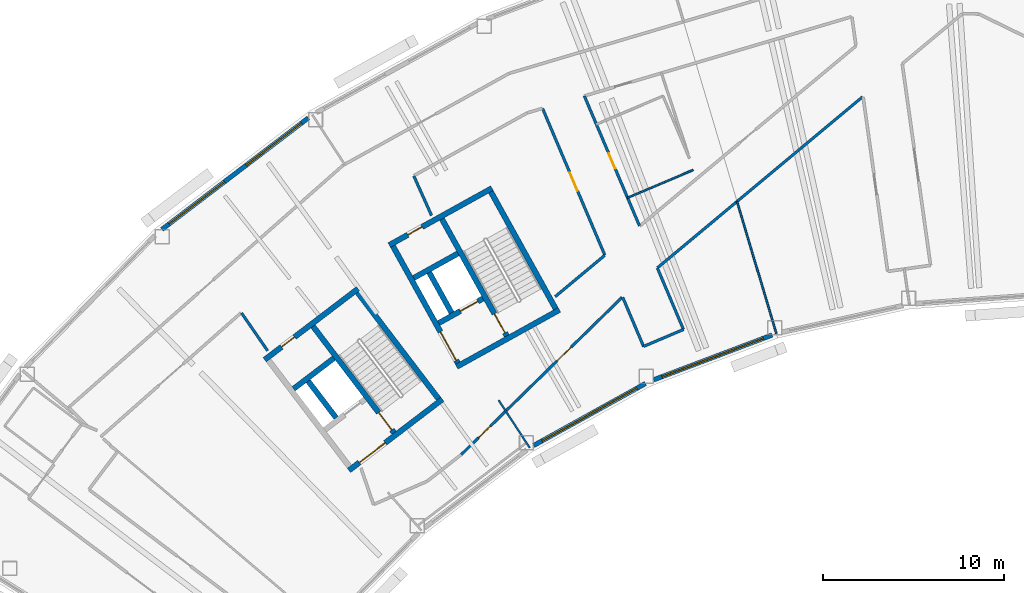
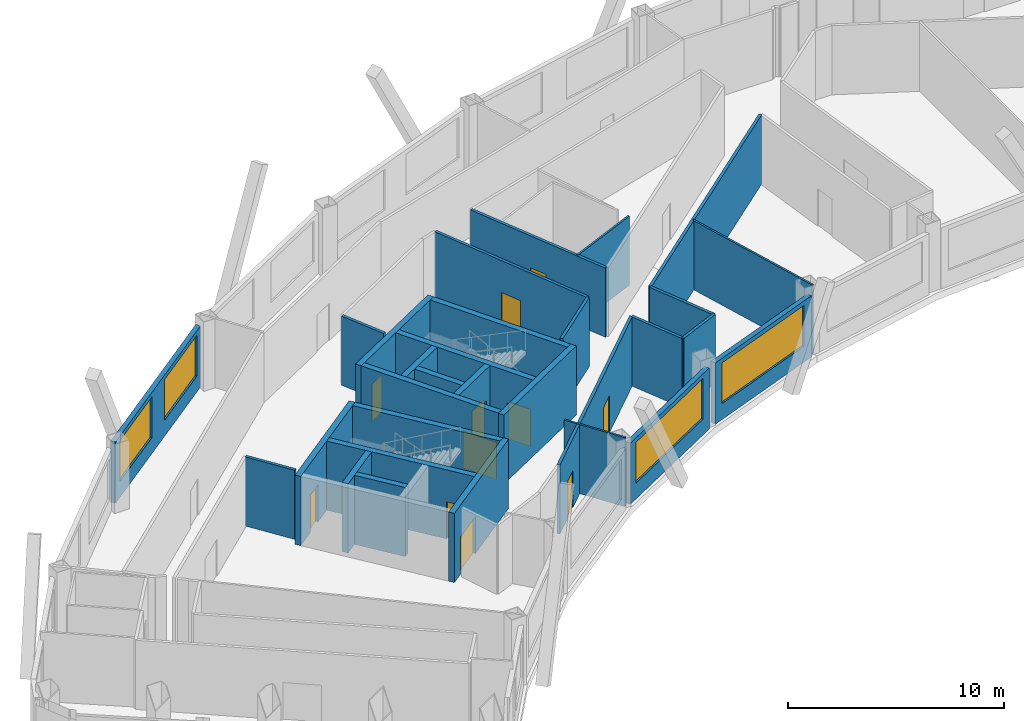
# One storey, part 6 of 13: 30 walls, 11 doors, 4 windows, 15 openings.
"""IFC4 building model written with IfcOpenShell, lengths in metres."""

from ifc_helpers import new_model, si_unit, direction, frame, frame_2d, origin, place, context, subcontext, project, spatial, rectangle, extrude, material, layer, layer_set, type_object, element, fill, save


model = new_model("IFC4")

# Units and contexts
model_context = context("Model", 3, precision=1e-05, world=origin(), true_north=direction((0.0, 1.0)))
body_context = subcontext(model_context, "Body", "Model", "MODEL_VIEW")
ifc_project = project(units=[si_unit("LENGTHUNIT", "METRE"), si_unit("AREAUNIT", "SQUARE_METRE"), si_unit("VOLUMEUNIT", "CUBIC_METRE"), si_unit("PLANEANGLEUNIT", "RADIAN"), si_unit("MASSUNIT", "GRAM", prefix="KILO")], contexts=[model_context])

# Site, building, storey
site_placement = place(None, origin())
site = spatial("IfcSite", under=ifc_project, at=site_placement, CompositionType="ELEMENT")
building_placement = place(site_placement, origin())
building = spatial("IfcBuilding", under=site, at=building_placement, Name="Tuul Gate Civic Tower", CompositionType="ELEMENT")
storey_placement = place(building_placement, frame((0.0, 0.0, 319.699951171875)))
storey = spatial("IfcBuildingStorey", under=building, at=storey_placement, Name="Level 72", CompositionType="ELEMENT", Elevation=319.699951171875)

# Wall, opening, door
ifc_material_1 = material(Name="Concrete C50/60", Category="concrete")
ifc_layer_1 = layer(ifc_material_1, 0.300048828125)
ifc_layer_set_1 = layer_set([ifc_layer_1], Name="Concrete C50/60")
wall_type_1 = type_object("IfcWallType", Name="Core wall C50/60", PredefinedType="SHEAR", material=ifc_layer_set_1)
wall_1_placement = place(storey_placement, frame((-31.19091796875, -13.669677734375, 0.0), z_axis=(0.0, 0.0, 1.0), x_axis=(-0.795606717756, -0.605813461934, 0.0)))
wall_1 = element("IfcWall", 1, at=wall_1_placement, inside=storey, type_object=wall_type_1, Name="Core wall", PredefinedType="SHEAR", context=body_context, shape_type="SweptSolid", body=[
    extrude(rectangle(XDim=6.5, YDim=0.300048828125, at=frame_2d((3.25, 0.0))), origin(), (0.0, 0.0, 1.0), 3.900146484375),
])
opening_1_placement = place(wall_1_placement, frame((3.97509765625, 0.0, 0.0)))
opening_1 = element("IfcOpeningElement", 2, at=opening_1_placement, cuts=wall_1, Name="Opening LB-W1-LOBBY-1", PredefinedType="OPENING", context=body_context, shape_type="SweptSolid", body=[
    extrude(rectangle(XDim=1.800048828125, YDim=2.10009765625, at=frame_2d((0.89990234375, 1.050048828125))), frame((0.0, 0.16015625, 0.0), z_axis=(0.0, -1.0, 0.0), x_axis=(1.0, 0.0, 0.0)), (0.0, 0.0, 1.0), 0.320068359375),
])
ifc_material_2 = material(Name="Steel", Category="steel")
door_type_1 = type_object("IfcDoorType", Name="Lobby door", OperationType="DOUBLE_DOOR_SINGLE_SWING", PredefinedType="DOOR", material=ifc_material_2)
door_1_placement = place(opening_1_placement, origin())
door_1 = element("IfcDoor", 3, at=door_1_placement, inside=storey, type_object=door_type_1, Name="Lobby door W1-LOBBY", OperationType="DOUBLE_DOOR_SINGLE_SWING", OverallHeight=2.10009765625, OverallWidth=1.800048828125, PredefinedType="DOOR", context=body_context, shape_type="SweptSolid", body=[
    extrude(rectangle(XDim=1.800048828125, YDim=2.10009765625, at=frame_2d((0.89990234375, 1.050048828125))), frame((0.0, 0.02490234375, 0.0), z_axis=(0.0, -1.0, 0.0), x_axis=(1.0, 0.0, 0.0)), (0.0, 0.0, 1.0), 0.050048828125),
])
fill(opening_1, door_1)

# Wall
wall_2_placement = place(storey_placement, frame((-37.197509765625, -11.39306640625, 0.0), z_axis=(0.0, 0.0, 1.0), x_axis=(-0.795583820278, -0.605843531707, 0.0)))
element("IfcWall", 4, at=wall_2_placement, inside=storey, type_object=wall_type_1, Name="Core wall", PredefinedType="SHEAR", context=body_context, shape_type="SweptSolid", body=[
    extrude(rectangle(XDim=2.7998046875, YDim=0.300048828125, at=frame_2d((1.39990234375, 0.0))), origin(), (0.0, 0.0, 1.0), 3.900146484375),
])

# Wall, opening, door
wall_3_placement = place(storey_placement, frame((-35.855224609375, -7.543212890625, 0.0), z_axis=(0.0, 0.0, 1.0), x_axis=(-0.79563860527, -0.605771582202, 0.0)))
wall_3 = element("IfcWall", 5, at=wall_3_placement, inside=storey, type_object=wall_type_1, Name="Core wall", PredefinedType="SHEAR", context=body_context, shape_type="SweptSolid", body=[
    extrude(rectangle(XDim=6.5, YDim=0.300048828125, at=frame_2d((3.25, 0.0))), origin(), (0.0, 0.0, 1.0), 3.900146484375),
])
opening_2_placement = place(wall_3_placement, frame((4.425048828125, 0.0, 0.0)))
opening_2 = element("IfcOpeningElement", 6, at=opening_2_placement, cuts=wall_3, Name="Opening AA-D28", PredefinedType="OPENING", context=body_context, shape_type="SweptSolid", body=[
    extrude(rectangle(XDim=0.89990234375, YDim=2.10009765625, at=frame_2d((0.449951171875, 1.050048828125))), frame((0.0, 0.16015625, 0.0), z_axis=(0.0, -1.0, 0.0), x_axis=(1.0, 0.0, 0.0)), (0.0, 0.0, 1.0), 0.320068359375),
])
ifc_material_3 = material(Name="Timber door leaf", Category="wood")
door_type_2 = type_object("IfcDoorType", Name="Door D09", OperationType="NOTDEFINED", PredefinedType="DOOR", material=ifc_material_3)
door_2_placement = place(opening_2_placement, origin())
door_2 = element("IfcDoor", 7, at=door_2_placement, inside=storey, type_object=door_type_2, Name="Door AA-D28", OperationType="SINGLE_SWING_LEFT", OverallHeight=2.10009765625, OverallWidth=0.89990234375, PredefinedType="DOOR", context=body_context, shape_type="SweptSolid", body=[
    extrude(rectangle(XDim=0.89990234375, YDim=2.10009765625, at=frame_2d((0.449951171875, 1.050048828125))), frame((0.0, 0.02490234375, 0.0), z_axis=(0.0, -1.0, 0.0), x_axis=(1.0, 0.0, 0.0)), (0.0, 0.0, 1.0), 0.050048828125),
])
fill(opening_2, door_2)

# Wall
wall_4_placement = place(storey_placement, frame((-31.401123046875, -13.64111328125, 0.0), z_axis=(0.0, 0.0, 1.0), x_axis=(-0.605769822278, 0.795639945213, 0.0)))
element("IfcWall", 8, at=wall_4_placement, inside=storey, type_object=wall_type_1, Name="Core wall", PredefinedType="SHEAR", context=body_context, shape_type="SweptSolid", body=[
    extrude(rectangle(XDim=7.39990234375, YDim=0.300048828125, at=frame_2d((3.699951171875, 0.0))), origin(), (0.0, 0.0, 1.0), 3.900146484375),
])

# Wall, opening, door
wall_5_placement = place(storey_placement, frame((-33.867431640625, -15.51904296875, 0.0), z_axis=(0.0, 0.0, 1.0), x_axis=(-0.605769822278, 0.795639945213, 0.0)))
wall_5 = element("IfcWall", 9, at=wall_5_placement, inside=storey, type_object=wall_type_1, Name="Core wall", PredefinedType="SHEAR", context=body_context, shape_type="SweptSolid", body=[
    extrude(rectangle(XDim=7.39990234375, YDim=0.300048828125, at=frame_2d((3.699951171875, 0.0))), origin(), (0.0, 0.0, 1.0), 3.900146484375),
])
opening_3_placement = place(wall_5_placement, frame((0.199951171875, 0.0, 0.0)))
opening_3 = element("IfcOpeningElement", 10, at=opening_3_placement, cuts=wall_5, Name="Opening SD-ST-1", PredefinedType="OPENING", context=body_context, shape_type="SweptSolid", body=[
    extrude(rectangle(XDim=1.199951171875, YDim=2.10009765625, at=frame_2d((0.60009765625, 1.050048828125))), frame((0.0, 0.16015625, 0.0), z_axis=(0.0, -1.0, 0.0), x_axis=(1.0, 0.0, 0.0)), (0.0, 0.0, 1.0), 0.320068359375),
])
ifc_material_4 = material(Name="Steel", Category="steel")
door_type_3 = type_object("IfcDoorType", Name="Stair door", OperationType="NOTDEFINED", PredefinedType="DOOR", material=ifc_material_4)
door_3_placement = place(opening_3_placement, origin())
door_3 = element("IfcDoor", 11, at=door_3_placement, inside=storey, type_object=door_type_3, Name="Stair door ST-1", OperationType="SINGLE_SWING_LEFT", OverallHeight=2.10009765625, OverallWidth=1.199951171875, PredefinedType="DOOR", context=body_context, shape_type="SweptSolid", body=[
    extrude(rectangle(XDim=1.199951171875, YDim=2.10009765625, at=frame_2d((0.60009765625, 1.050048828125))), frame((0.0, 0.02490234375, 0.0), z_axis=(0.0, -1.0, 0.0), x_axis=(1.0, 0.0, 0.0)), (0.0, 0.0, 1.0), 0.050048828125),
])
fill(opening_3, door_3)

# Walls
wall_6_placement = place(storey_placement, frame((-37.073486328125, -14.6923828125, 0.0), z_axis=(0.0, 0.0, 1.0), x_axis=(-0.605728760074, 0.79567120673, 0.0)))
element("IfcWall", 12, at=wall_6_placement, inside=storey, type_object=wall_type_1, Name="Core wall", PredefinedType="SHEAR", context=body_context, shape_type="SweptSolid", body=[
    extrude(rectangle(XDim=2.550048828125, YDim=0.300048828125, at=frame_2d((1.27490234375, 0.0))), origin(), (0.0, 0.0, 1.0), 3.900146484375),
])
wall_7_placement = place(storey_placement, frame((-24.711669921875, -8.7158203125, 0.0), z_axis=(0.0, 0.0, 1.0), x_axis=(-0.874629909008, -0.484791215132, 0.0)))
element("IfcWall", 13, at=wall_7_placement, inside=storey, type_object=wall_type_1, Name="Core wall", PredefinedType="SHEAR", context=body_context, shape_type="SweptSolid", body=[
    extrude(rectangle(XDim=6.5, YDim=0.300048828125, at=frame_2d((3.25, 0.0))), origin(), (0.0, 0.0, 1.0), 3.900146484375),
])

# Wall, opening, door
wall_8_placement = place(storey_placement, frame((-28.94580078125, -8.090087890625, 0.0), z_axis=(0.0, 0.0, 1.0), x_axis=(-0.874629840737, -0.484791338301, 0.0)))
wall_8 = element("IfcWall", 14, at=wall_8_placement, inside=storey, type_object=wall_type_1, Name="Core wall", PredefinedType="SHEAR", context=body_context, shape_type="SweptSolid", body=[
    extrude(rectangle(XDim=2.800048828125, YDim=0.300048828125, at=frame_2d((1.39990234375, 0.0))), origin(), (0.0, 0.0, 1.0), 3.900146484375),
])
opening_4_placement = place(wall_8_placement, frame((0.324951171875, 0.0, 0.0)))
opening_4 = element("IfcOpeningElement", 15, at=opening_4_placement, cuts=wall_8, Name="Opening LD-FF-1", PredefinedType="OPENING", context=body_context, shape_type="SweptSolid", body=[
    extrude(rectangle(XDim=1.10009765625, YDim=2.10009765625, at=frame_2d((0.550048828125, 1.050048828125))), frame((0.0, 0.16015625, 0.0), z_axis=(0.0, -1.0, 0.0), x_axis=(1.0, 0.0, 0.0)), (0.0, 0.0, 1.0), 0.320068359375),
])
ifc_material_5 = material(Name="Stainless steel", Category="steel")
door_type_4 = type_object("IfcDoorType", Name="Landing door", OperationType="DOUBLE_DOOR_SLIDING", PredefinedType="DOOR", material=ifc_material_5)
door_4_placement = place(opening_4_placement, origin())
door_4 = element("IfcDoor", 16, at=door_4_placement, inside=storey, type_object=door_type_4, Name="Fire-fighting lift FF-1 landing door", OperationType="DOUBLE_DOOR_SLIDING", OverallHeight=2.10009765625, OverallWidth=1.10009765625, PredefinedType="DOOR", context=body_context, shape_type="SweptSolid", body=[
    extrude(rectangle(XDim=1.10009765625, YDim=2.10009765625, at=frame_2d((0.550048828125, 1.050048828125))), frame((0.0, 0.02490234375, 0.0), z_axis=(0.0, -1.0, 0.0), x_axis=(1.0, 0.0, 0.0)), (0.0, 0.0, 1.0), 0.050048828125),
])
fill(opening_4, door_4)

# Wall
wall_9_placement = place(storey_placement, frame((-30.327392578125, -5.59716796875, 0.0), z_axis=(0.0, 0.0, 1.0), x_axis=(-0.874629840737, -0.484791338301, 0.0)))
element("IfcWall", 17, at=wall_9_placement, inside=storey, type_object=wall_type_1, Name="Core wall", PredefinedType="SHEAR", context=body_context, shape_type="SweptSolid", body=[
    extrude(rectangle(XDim=2.800048828125, YDim=0.300048828125, at=frame_2d((1.39990234375, 0.0))), origin(), (0.0, 0.0, 1.0), 3.900146484375),
])

# Wall, opening, door
wall_10_placement = place(storey_placement, frame((-28.4443359375, -1.98095703125, 0.0), z_axis=(0.0, 0.0, 1.0), x_axis=(-0.874629909008, -0.484791215132, 0.0)))
wall_10 = element("IfcWall", 18, at=wall_10_placement, inside=storey, type_object=wall_type_1, Name="Core wall", PredefinedType="SHEAR", context=body_context, shape_type="SweptSolid", body=[
    extrude(rectangle(XDim=6.5, YDim=0.300048828125, at=frame_2d((3.25, 0.0))), origin(), (0.0, 0.0, 1.0), 3.900146484375),
])
opening_5_placement = place(wall_10_placement, frame((4.425048828125, 0.0, 0.0)))
opening_5 = element("IfcOpeningElement", 19, at=opening_5_placement, cuts=wall_10, Name="Opening AA-D29", PredefinedType="OPENING", context=body_context, shape_type="SweptSolid", body=[
    extrude(rectangle(XDim=0.89990234375, YDim=2.10009765625, at=frame_2d((0.449951171875, 1.050048828125))), frame((0.0, 0.16015625, 0.0), z_axis=(0.0, -1.0, 0.0), x_axis=(1.0, 0.0, 0.0)), (0.0, 0.0, 1.0), 0.320068359375),
])
door_5_placement = place(opening_5_placement, origin())
door_5 = element("IfcDoor", 20, at=door_5_placement, inside=storey, type_object=door_type_2, Name="Door AA-D29", OperationType="SINGLE_SWING_LEFT", OverallHeight=2.10009765625, OverallWidth=0.89990234375, PredefinedType="DOOR", context=body_context, shape_type="SweptSolid", body=[
    extrude(rectangle(XDim=0.89990234375, YDim=2.10009765625, at=frame_2d((0.449951171875, 1.050048828125))), frame((0.0, 0.02490234375, 0.0), z_axis=(0.0, -1.0, 0.0), x_axis=(1.0, 0.0, 0.0)), (0.0, 0.0, 1.0), 0.050048828125),
])
fill(opening_5, door_5)

# Wall
wall_11_placement = place(storey_placement, frame((-24.91552734375, -8.6572265625, 0.0), z_axis=(0.0, 0.0, 1.0), x_axis=(-0.484777133038, 0.874637714304, 0.0)))
element("IfcWall", 21, at=wall_11_placement, inside=storey, type_object=wall_type_1, Name="Core wall", PredefinedType="SHEAR", context=body_context, shape_type="SweptSolid", body=[
    extrude(rectangle(XDim=7.400146484375, YDim=0.300048828125, at=frame_2d((3.7001953125, 0.0))), origin(), (0.0, 0.0, 1.0), 3.900146484375),
])

# Wall, opening, door
wall_12_placement = place(storey_placement, frame((-27.626953125, -10.16015625, 0.0), z_axis=(0.0, 0.0, 1.0), x_axis=(-0.484751894226, 0.874651702704, 0.0)))
wall_12 = element("IfcWall", 22, at=wall_12_placement, inside=storey, type_object=wall_type_1, Name="Core wall", PredefinedType="SHEAR", context=body_context, shape_type="SweptSolid", body=[
    extrude(rectangle(XDim=7.39990234375, YDim=0.300048828125, at=frame_2d((3.699951171875, 0.0))), origin(), (0.0, 0.0, 1.0), 3.900146484375),
])
opening_6_placement = place(wall_12_placement, frame((0.199951171875, 0.0, 0.0)))
opening_6 = element("IfcOpeningElement", 23, at=opening_6_placement, cuts=wall_12, Name="Opening SD-ST-2", PredefinedType="OPENING", context=body_context, shape_type="SweptSolid", body=[
    extrude(rectangle(XDim=1.199951171875, YDim=2.10009765625, at=frame_2d((0.60009765625, 1.050048828125))), frame((0.0, 0.16015625, 0.0), z_axis=(0.0, -1.0, 0.0), x_axis=(1.0, 0.0, 0.0)), (0.0, 0.0, 1.0), 0.320068359375),
])
door_6_placement = place(opening_6_placement, origin())
door_6 = element("IfcDoor", 24, at=door_6_placement, inside=storey, type_object=door_type_3, Name="Stair door ST-2", OperationType="SINGLE_SWING_LEFT", OverallHeight=2.10009765625, OverallWidth=1.199951171875, PredefinedType="DOOR", context=body_context, shape_type="SweptSolid", body=[
    extrude(rectangle(XDim=1.199951171875, YDim=2.10009765625, at=frame_2d((0.60009765625, 1.050048828125))), frame((0.0, 0.02490234375, 0.0), z_axis=(0.0, -1.0, 0.0), x_axis=(1.0, 0.0, 0.0)), (0.0, 0.0, 1.0), 0.050048828125),
])
fill(opening_6, door_6)

# Wall
wall_13_placement = place(storey_placement, frame((-30.680419921875, -8.8798828125, 0.0), z_axis=(0.0, 0.0, 1.0), x_axis=(-0.484724115216, 0.874667097888, 0.0)))
element("IfcWall", 25, at=wall_13_placement, inside=storey, type_object=wall_type_1, Name="Core wall", PredefinedType="SHEAR", context=body_context, shape_type="SweptSolid", body=[
    extrude(rectangle(XDim=2.550048828125, YDim=0.300048828125, at=frame_2d((1.27490234375, 0.0))), origin(), (0.0, 0.0, 1.0), 3.900146484375),
])

# Wall, opening, door
wall_14_placement = place(storey_placement, frame((-30.33837890625, -11.6630859375, 0.0), z_axis=(0.0, 0.0, 1.0), x_axis=(-0.484751894226, 0.874651702704, 0.0)))
wall_14 = element("IfcWall", 26, at=wall_14_placement, inside=storey, type_object=wall_type_1, Name="Core wall", PredefinedType="SHEAR", context=body_context, shape_type="SweptSolid", body=[
    extrude(rectangle(XDim=7.39990234375, YDim=0.300048828125, at=frame_2d((3.699951171875, 0.0))), origin(), (0.0, 0.0, 1.0), 3.900146484375),
])
opening_7_placement = place(wall_14_placement, frame((0.175048828125, 0.0, 0.0)))
opening_7 = element("IfcOpeningElement", 27, at=opening_7_placement, cuts=wall_14, Name="Opening LB-W2-FLOBBY-1", PredefinedType="OPENING", context=body_context, shape_type="SweptSolid", body=[
    extrude(rectangle(XDim=1.800048828125, YDim=2.10009765625, at=frame_2d((0.89990234375, 1.050048828125))), frame((0.0, 0.16015625, 0.0), z_axis=(0.0, -1.0, 0.0), x_axis=(1.0, 0.0, 0.0)), (0.0, 0.0, 1.0), 0.320068359375),
])
door_7_placement = place(opening_7_placement, origin())
door_7 = element("IfcDoor", 28, at=door_7_placement, inside=storey, type_object=door_type_1, Name="Lobby door W2-FLOBBY", OperationType="DOUBLE_DOOR_SINGLE_SWING", OverallHeight=2.10009765625, OverallWidth=1.800048828125, PredefinedType="DOOR", context=body_context, shape_type="SweptSolid", body=[
    extrude(rectangle(XDim=1.800048828125, YDim=2.10009765625, at=frame_2d((0.89990234375, 1.050048828125))), frame((0.0, 0.02490234375, 0.0), z_axis=(0.0, -1.0, 0.0), x_axis=(1.0, 0.0, 0.0)), (0.0, 0.0, 1.0), 0.050048828125),
])
fill(opening_7, door_7)

# Wall
ifc_material_6 = material(Name="Gypsum board partition")
ifc_layer_2 = layer(ifc_material_6, 0.14990234375)
ifc_layer_set_2 = layer_set([ifc_layer_2], Name="Gypsum board partition")
wall_type_2 = type_object("IfcWallType", Name="Corridor wall P150", PredefinedType="PARTITIONING", material=ifc_layer_set_2)
wall_15_placement = place(storey_placement, frame((-24.944091796875, -7.9853515625, 0.0), z_axis=(0.0, 0.0, 1.0), x_axis=(0.768103396808, 0.640325832535, 0.0)))
element("IfcWall", 29, at=wall_15_placement, inside=storey, type_object=wall_type_2, Name="p028", PredefinedType="PARTITIONING", context=body_context, shape_type="SweptSolid", body=[
    extrude(rectangle(XDim=3.5654296875, YDim=0.14990234375, at=frame_2d((1.78271484375, 0.0))), origin(), (0.0, 0.0, 1.0), 3.900146484375),
])

# Wall, openings, doors
wall_16_placement = place(storey_placement, frame((-30.145263671875, -16.731689453125, 0.0), z_axis=(0.0, 0.0, 1.0), x_axis=(0.714957486938, 0.699167928234, 0.0)))
wall_16 = element("IfcWall", 30, at=wall_16_placement, inside=storey, type_object=wall_type_2, Name="p079", PredefinedType="PARTITIONING", context=body_context, shape_type="SweptSolid", body=[
    extrude(rectangle(XDim=12.46240234375, YDim=0.14990234375, at=frame_2d((6.231201171875, 0.0))), origin(), (0.0, 0.0, 1.0), 3.900146484375),
])
opening_8_placement = place(wall_16_placement, frame((7.421875, 0.0, 0.0)))
opening_8 = element("IfcOpeningElement", 31, at=opening_8_placement, cuts=wall_16, Name="Opening AA-D17", PredefinedType="OPENING", context=body_context, shape_type="SweptSolid", body=[
    extrude(rectangle(XDim=1.10009765625, YDim=2.10009765625, at=frame_2d((0.550048828125, 1.050048828125))), frame((0.0, 0.0849609375, 0.0), z_axis=(0.0, -1.0, 0.0), x_axis=(1.0, 0.0, 0.0)), (0.0, 0.0, 1.0), 0.169921875),
])
opening_9_placement = place(wall_16_placement, frame((1.335693359375, 0.0, 0.0)))
opening_9 = element("IfcOpeningElement", 32, at=opening_9_placement, cuts=wall_16, Name="Opening AA-D18", PredefinedType="OPENING", context=body_context, shape_type="SweptSolid", body=[
    extrude(rectangle(XDim=0.89990234375, YDim=2.10009765625, at=frame_2d((0.449951171875, 1.050048828125))), frame((0.0, 0.0849609375, 0.0), z_axis=(0.0, -1.0, 0.0), x_axis=(1.0, 0.0, 0.0)), (0.0, 0.0, 1.0), 0.169921875),
])
door_8_placement = place(opening_9_placement, frame((0.89990234375, 0.0, 0.0), z_axis=(0.0, 0.0, 1.0), x_axis=(-1.0, 0.0, 0.0)))
door_8 = element("IfcDoor", 33, at=door_8_placement, inside=storey, type_object=door_type_2, Name="Door AA-D18", OperationType="SINGLE_SWING_LEFT", OverallHeight=2.10009765625, OverallWidth=0.89990234375, PredefinedType="DOOR", context=body_context, shape_type="SweptSolid", body=[
    extrude(rectangle(XDim=0.89990234375, YDim=2.10009765625, at=frame_2d((0.449951171875, 1.050048828125))), frame((0.0, 0.02490234375, 0.0), z_axis=(0.0, -1.0, 0.0), x_axis=(1.0, 0.0, 0.0)), (0.0, 0.0, 1.0), 0.050048828125),
])
fill(opening_9, door_8)
ifc_material_7 = material(Name="Timber door leaf", Category="wood")
door_type_5 = type_object("IfcDoorType", Name="Door D11", OperationType="NOTDEFINED", PredefinedType="DOOR", material=ifc_material_7)
door_9_placement = place(opening_8_placement, frame((1.10009765625, 0.0, 0.0), z_axis=(0.0, 0.0, 1.0), x_axis=(-1.0, 0.0, 0.0)))
door_9 = element("IfcDoor", 34, at=door_9_placement, inside=storey, type_object=door_type_5, Name="Door AA-D17", OperationType="SINGLE_SWING_LEFT", OverallHeight=2.10009765625, OverallWidth=1.10009765625, PredefinedType="DOOR", context=body_context, shape_type="SweptSolid", body=[
    extrude(rectangle(XDim=1.10009765625, YDim=2.10009765625, at=frame_2d((0.550048828125, 1.050048828125))), frame((0.0, 0.02490234375, 0.0), z_axis=(0.0, -1.0, 0.0), x_axis=(1.0, 0.0, 0.0)), (0.0, 0.0, 1.0), 0.050048828125),
])
fill(opening_8, door_9)

# Wall
wall_17_placement = place(storey_placement, frame((-19.2763671875, -6.385498046875, 0.0), z_axis=(0.0, 0.0, 1.0), x_axis=(0.768126474585, 0.640298148554, 0.0)))
element("IfcWall", 35, at=wall_17_placement, inside=storey, type_object=wall_type_2, Name="p080", PredefinedType="PARTITIONING", context=body_context, shape_type="SweptSolid", body=[
    extrude(rectangle(XDim=14.77685546875, YDim=0.14990234375, at=frame_2d((7.388427734375, 0.0))), origin(), (0.0, 0.0, 1.0), 3.900146484375),
])

# Wall, opening, door
wall_18_placement = place(storey_placement, frame((-25.638427734375, 2.42236328125, 0.0), z_axis=(0.0, 0.0, 1.0), x_axis=(0.390732930175, -0.92050408868, 0.0)))
wall_18 = element("IfcWall", 36, at=wall_18_placement, inside=storey, type_object=wall_type_2, Name="p086", PredefinedType="PARTITIONING", context=body_context, shape_type="SweptSolid", body=[
    extrude(rectangle(XDim=8.80078125, YDim=0.14990234375, at=frame_2d((4.400390625, 0.0))), origin(), (0.0, 0.0, 1.0), 3.900146484375),
])
opening_10_placement = place(wall_18_placement, frame((3.850341796875, 0.0, 0.0)))
opening_10 = element("IfcOpeningElement", 37, at=opening_10_placement, cuts=wall_18, Name="Opening AA-D25", PredefinedType="OPENING", context=body_context, shape_type="SweptSolid", body=[
    extrude(rectangle(XDim=1.10009765625, YDim=2.10009765625, at=frame_2d((0.550048828125, 1.050048828125))), frame((0.0, 0.0849609375, 0.0), z_axis=(0.0, -1.0, 0.0), x_axis=(1.0, 0.0, 0.0)), (0.0, 0.0, 1.0), 0.169921875),
])
door_10_placement = place(opening_10_placement, frame((1.10009765625, 0.0, 0.0), z_axis=(0.0, 0.0, 1.0), x_axis=(-1.0, 0.0, 0.0)))
door_10 = element("IfcDoor", 38, at=door_10_placement, inside=storey, type_object=door_type_5, Name="Door AA-D25", OperationType="SINGLE_SWING_LEFT", OverallHeight=2.10009765625, OverallWidth=1.10009765625, PredefinedType="DOOR", context=body_context, shape_type="SweptSolid", body=[
    extrude(rectangle(XDim=1.10009765625, YDim=2.10009765625, at=frame_2d((0.550048828125, 1.050048828125))), frame((0.0, 0.02490234375, 0.0), z_axis=(0.0, -1.0, 0.0), x_axis=(1.0, 0.0, 0.0)), (0.0, 0.0, 1.0), 0.050048828125),
])
fill(opening_10, door_10)

# Walls
wall_19_placement = place(storey_placement, frame((-21.203369140625, -8.02587890625, 0.0), z_axis=(0.0, 0.0, 1.0), x_axis=(0.390730503932, -0.920505118561, 0.0)))
element("IfcWall", 39, at=wall_19_placement, inside=storey, type_object=wall_type_2, Name="p087", PredefinedType="PARTITIONING", context=body_context, shape_type="SweptSolid", body=[
    extrude(rectangle(XDim=2.94970703125, YDim=0.14990234375, at=frame_2d((1.474853515625, 0.0))), origin(), (0.0, 0.0, 1.0), 3.900146484375),
])
wall_20_placement = place(storey_placement, frame((-20.0498046875, -10.741455078125, 0.0), z_axis=(0.0, 0.0, 1.0), x_axis=(0.920487490338, 0.390772030898, 0.0)))
element("IfcWall", 40, at=wall_20_placement, inside=storey, type_object=wall_type_2, Name="p088", PredefinedType="PARTITIONING", context=body_context, shape_type="SweptSolid", body=[
    extrude(rectangle(XDim=2.3984375, YDim=0.14990234375, at=frame_2d((1.19921875, 0.0))), origin(), (0.0, 0.0, 1.0), 3.900146484375),
])

# Wall, opening, door
wall_21_placement = place(storey_placement, frame((-23.32958984375, 3.125732421875, 0.0), z_axis=(0.0, 0.0, 1.0), x_axis=(0.390720861827, -0.920509211324, 0.0)))
wall_21 = element("IfcWall", 41, at=wall_21_placement, inside=storey, type_object=wall_type_2, Name="p089", PredefinedType="PARTITIONING", context=body_context, shape_type="SweptSolid", body=[
    extrude(rectangle(XDim=7.80859375, YDim=0.14990234375, at=frame_2d((3.904296875, 0.0))), origin(), (0.0, 0.0, 1.0), 3.900146484375),
])
opening_11_placement = place(wall_21_placement, frame((3.4658203125, 0.0, 0.0)))
opening_11 = element("IfcOpeningElement", 42, at=opening_11_placement, cuts=wall_21, Name="Opening AA-D24", PredefinedType="OPENING", context=body_context, shape_type="SweptSolid", body=[
    extrude(rectangle(XDim=0.89990234375, YDim=2.10009765625, at=frame_2d((0.449951171875, 1.050048828125))), frame((0.0, 0.0849609375, 0.0), z_axis=(0.0, -1.0, 0.0), x_axis=(1.0, 0.0, 0.0)), (0.0, 0.0, 1.0), 0.169921875),
])
door_11_placement = place(opening_11_placement, frame((0.89990234375, 0.0, 0.0), z_axis=(0.0, 0.0, 1.0), x_axis=(-1.0, 0.0, 0.0)))
door_11 = element("IfcDoor", 43, at=door_11_placement, inside=storey, type_object=door_type_2, Name="Door AA-D24", OperationType="SINGLE_SWING_LEFT", OverallHeight=2.10009765625, OverallWidth=0.89990234375, PredefinedType="DOOR", context=body_context, shape_type="SweptSolid", body=[
    extrude(rectangle(XDim=0.89990234375, YDim=2.10009765625, at=frame_2d((0.449951171875, 1.050048828125))), frame((0.0, 0.02490234375, 0.0), z_axis=(0.0, -1.0, 0.0), x_axis=(1.0, 0.0, 0.0)), (0.0, 0.0, 1.0), 0.050048828125),
])
fill(opening_11, door_11)

# Walls
wall_22_placement = place(storey_placement, frame((-19.2822265625, -6.409423828125, 0.0), z_axis=(0.0, 0.0, 1.0), x_axis=(0.390752201577, -0.920495908173, 0.0)))
element("IfcWall", 44, at=wall_22_placement, inside=storey, type_object=wall_type_2, Name="p090", PredefinedType="PARTITIONING", context=body_context, shape_type="SweptSolid", body=[
    extrude(rectangle(XDim=3.68701171875, YDim=0.14990234375, at=frame_2d((1.843505859375, 0.0))), origin(), (0.0, 0.0, 1.0), 3.900146484375),
])
wall_23_placement = place(storey_placement, frame((-42.31103515625, -8.889404296875, 0.0), z_axis=(0.0, 0.0, 1.0), x_axis=(0.568625654389, -0.822596416945, 0.0)))
element("IfcWall", 45, at=wall_23_placement, inside=storey, type_object=wall_type_2, Name="p096", PredefinedType="PARTITIONING", context=body_context, shape_type="SweptSolid", body=[
    extrude(rectangle(XDim=2.542724609375, YDim=0.14990234375, at=frame_2d((1.271484375, 0.0))), origin(), (0.0, 0.0, 1.0), 3.900146484375),
])
wall_24_placement = place(storey_placement, frame((-32.768798828125, -1.3076171875, 0.0), z_axis=(0.0, 0.0, 1.0), x_axis=(0.409240412041, -0.912426591651, 0.0)))
element("IfcWall", 46, at=wall_24_placement, inside=storey, type_object=wall_type_2, Name="p111", PredefinedType="PARTITIONING", context=body_context, shape_type="SweptSolid", body=[
    extrude(rectangle(XDim=2.3935546875, YDim=0.14990234375, at=frame_2d((1.19677734375, 0.0))), origin(), (0.0, 0.0, 1.0), 3.900146484375),
])

# Wall, openings, windows
ifc_material_8 = material(Name="Precast concrete C40/50", Category="concrete")
ifc_layer_3 = layer(ifc_material_8, 0.25)
ifc_layer_set_3 = layer_set([ifc_layer_3], Name="Precast concrete C40/50")
wall_type_3 = type_object("IfcWallType", Name="External wall", PredefinedType="STANDARD", material=ifc_layer_set_3)
wall_25_placement = place(storey_placement, frame((-38.610107421875, 1.909423828125, 0.0), z_axis=(0.0, 0.0, 1.0), x_axis=(-0.795611005019, -0.605807831488, 0.0)))
wall_25 = element("IfcWall", 47, at=wall_25_placement, inside=storey, type_object=wall_type_3, Name="External wall", PredefinedType="STANDARD", context=body_context, shape_type="SweptSolid", body=[
    extrude(rectangle(XDim=10.188720703125, YDim=0.25, at=frame_2d((5.09423828125, 0.0))), origin(), (0.0, 0.0, 1.0), 3.449951171875),
])
opening_12_placement = place(wall_25_placement, frame((0.47314453125, 0.0, 0.89990234375)))
opening_12 = element("IfcOpeningElement", 48, at=opening_12_placement, cuts=wall_25, Name="Opening W22", PredefinedType="OPENING", context=body_context, shape_type="SweptSolid", body=[
    extrude(rectangle(XDim=3.85009765625, YDim=2.300048828125, at=frame_2d((1.925048828125, 1.14990234375))), frame((0.0, 0.135009765625, 0.0), z_axis=(0.0, -1.0, 0.0), x_axis=(1.0, 0.0, 0.0)), (0.0, 0.0, 1.0), 0.27001953125),
])
opening_13_placement = place(wall_25_placement, frame((5.844482421875, 0.0, 0.89990234375)))
opening_13 = element("IfcOpeningElement", 49, at=opening_13_placement, cuts=wall_25, Name="Opening W22", PredefinedType="OPENING", context=body_context, shape_type="SweptSolid", body=[
    extrude(rectangle(XDim=3.85009765625, YDim=2.300048828125, at=frame_2d((1.925048828125, 1.14990234375))), frame((0.0, 0.135009765625, 0.0), z_axis=(0.0, -1.0, 0.0), x_axis=(1.0, 0.0, 0.0)), (0.0, 0.0, 1.0), 0.27001953125),
])
ifc_material_9 = material(Name="Glass", Category="glass")
window_type_1 = type_object("IfcWindowType", Name="Window W22 3850 x 2300", PartitioningType="SINGLE_PANEL", PredefinedType="WINDOW", material=ifc_material_9)
window_1_placement = place(opening_12_placement, origin())
window_1 = element("IfcWindow", 50, at=window_1_placement, inside=storey, type_object=window_type_1, Name="Window", OverallHeight=2.300048828125, OverallWidth=3.85009765625, PartitioningType="SINGLE_PANEL", PredefinedType="WINDOW", context=body_context, shape_type="SweptSolid", body=[
    extrude(rectangle(XDim=3.85009765625, YDim=2.300048828125, at=frame_2d((1.925048828125, 1.14990234375))), frame((0.0, 0.030029296875, 0.0), z_axis=(0.0, -1.0, 0.0), x_axis=(1.0, 0.0, 0.0)), (0.0, 0.0, 1.0), 0.06005859375),
])
fill(opening_12, window_1)
window_2_placement = place(opening_13_placement, origin())
window_2 = element("IfcWindow", 51, at=window_2_placement, inside=storey, type_object=window_type_1, Name="Window", OverallHeight=2.300048828125, OverallWidth=3.85009765625, PartitioningType="SINGLE_PANEL", PredefinedType="WINDOW", context=body_context, shape_type="SweptSolid", body=[
    extrude(rectangle(XDim=3.85009765625, YDim=2.300048828125, at=frame_2d((1.925048828125, 1.14990234375))), frame((0.0, 0.030029296875, 0.0), z_axis=(0.0, -1.0, 0.0), x_axis=(1.0, 0.0, 0.0)), (0.0, 0.0, 1.0), 0.06005859375),
])
fill(opening_13, window_2)

# Wall, opening, window
wall_26_placement = place(storey_placement, frame((-26.135009765625, -16.226318359375, 0.0), z_axis=(0.0, 0.0, 1.0), x_axis=(0.874614232828, 0.484819496034, 0.0)))
wall_26 = element("IfcWall", 52, at=wall_26_placement, inside=storey, type_object=wall_type_3, Name="External wall", PredefinedType="STANDARD", context=body_context, shape_type="SweptSolid", body=[
    extrude(rectangle(XDim=7.07568359375, YDim=0.25, at=frame_2d((3.537841796875, 0.0))), origin(), (0.0, 0.0, 1.0), 3.449951171875),
])
opening_14_placement = place(wall_26_placement, frame((0.51904296875, 0.0, 0.89990234375)))
opening_14 = element("IfcOpeningElement", 53, at=opening_14_placement, cuts=wall_26, Name="Opening W26", PredefinedType="OPENING", context=body_context, shape_type="SweptSolid", body=[
    extrude(rectangle(XDim=6.0, YDim=2.300048828125, at=frame_2d((3.0, 1.14990234375))), frame((0.0, 0.135009765625, 0.0), z_axis=(0.0, -1.0, 0.0), x_axis=(1.0, 0.0, 0.0)), (0.0, 0.0, 1.0), 0.27001953125),
])
ifc_material_10 = material(Name="Glass", Category="glass")
window_type_2 = type_object("IfcWindowType", Name="Window W26 6000 x 2300", PartitioningType="SINGLE_PANEL", PredefinedType="WINDOW", material=ifc_material_10)
window_3_placement = place(opening_14_placement, origin())
window_3 = element("IfcWindow", 54, at=window_3_placement, inside=storey, type_object=window_type_2, Name="Window", OverallHeight=2.300048828125, OverallWidth=6.0, PartitioningType="SINGLE_PANEL", PredefinedType="WINDOW", context=body_context, shape_type="SweptSolid", body=[
    extrude(rectangle(XDim=6.0, YDim=2.300048828125, at=frame_2d((3.0, 1.14990234375))), frame((0.0, 0.030029296875, 0.0), z_axis=(0.0, -1.0, 0.0), x_axis=(1.0, 0.0, 0.0)), (0.0, 0.0, 1.0), 0.06005859375),
])
fill(opening_14, window_3)

wall_27_placement = place(storey_placement, frame((-19.4951171875, -12.592041015625, 0.0), z_axis=(0.0, 0.0, 1.0), x_axis=(0.935367772721, 0.353676589209, 0.0)))
wall_27 = element("IfcWall", 55, at=wall_27_placement, inside=storey, type_object=wall_type_3, Name="External wall", PredefinedType="STANDARD", context=body_context, shape_type="SweptSolid", body=[
    extrude(rectangle(XDim=7.017578125, YDim=0.25, at=frame_2d((3.5087890625, 0.0))), origin(), (0.0, 0.0, 1.0), 3.449951171875),
])
opening_15_placement = place(wall_27_placement, frame((0.491455078125, 0.0, 0.89990234375)))
opening_15 = element("IfcOpeningElement", 56, at=opening_15_placement, cuts=wall_27, Name="Opening W26", PredefinedType="OPENING", context=body_context, shape_type="SweptSolid", body=[
    extrude(rectangle(XDim=6.0, YDim=2.300048828125, at=frame_2d((3.0, 1.14990234375))), frame((0.0, 0.135009765625, 0.0), z_axis=(0.0, -1.0, 0.0), x_axis=(1.0, 0.0, 0.0)), (0.0, 0.0, 1.0), 0.27001953125),
])
window_4_placement = place(opening_15_placement, origin())
window_4 = element("IfcWindow", 57, at=window_4_placement, inside=storey, type_object=window_type_2, Name="Window", OverallHeight=2.300048828125, OverallWidth=6.0, PartitioningType="SINGLE_PANEL", PredefinedType="WINDOW", context=body_context, shape_type="SweptSolid", body=[
    extrude(rectangle(XDim=6.0, YDim=2.300048828125, at=frame_2d((3.0, 1.14990234375))), frame((0.0, 0.030029296875, 0.0), z_axis=(0.0, -1.0, 0.0), x_axis=(1.0, 0.0, 0.0)), (0.0, 0.0, 1.0), 0.06005859375),
])
fill(opening_15, window_4)

# Walls
ifc_material_11 = material(Name="Gypsum board partition")
ifc_layer_4 = layer(ifc_material_11, 0.10009765625)
ifc_layer_set_4 = layer_set([ifc_layer_4], Name="Gypsum board partition")
wall_type_4 = type_object("IfcWallType", Name="Partition P100", PredefinedType="PARTITIONING", material=ifc_layer_set_4)
wall_28_placement = place(storey_placement, frame((-14.875, -2.716552734375, 0.0), z_axis=(0.0, 0.0, 1.0), x_axis=(0.285238893825, -0.958456453601, 0.0)))
element("IfcWall", 58, at=wall_28_placement, inside=storey, type_object=wall_type_4, Name="p033", PredefinedType="PARTITIONING", context=body_context, shape_type="SweptSolid", body=[
    extrude(rectangle(XDim=7.6279296875, YDim=0.10009765625, at=frame_2d((3.81396484375, 0.0))), origin(), (0.0, 0.0, 1.0), 3.900146484375),
])
wall_29_placement = place(storey_placement, frame((-28.073974609375, -13.71875, 0.0), z_axis=(0.0, 0.0, 1.0), x_axis=(0.546724513624, -0.837312549889, 0.0)))
element("IfcWall", 59, at=wall_29_placement, inside=storey, type_object=wall_type_4, Name="p035", PredefinedType="PARTITIONING", context=body_context, shape_type="SweptSolid", body=[
    extrude(rectangle(XDim=3.146484375, YDim=0.10009765625, at=frame_2d((1.5732421875, 0.0))), origin(), (0.0, 0.0, 1.0), 3.900146484375),
])
wall_30_placement = place(storey_placement, frame((-20.935791015625, -2.513916015625, 0.0), z_axis=(0.0, 0.0, 1.0), x_axis=(0.920509775606, 0.39071953242, 0.0)))
element("IfcWall", 60, at=wall_30_placement, inside=storey, type_object=wall_type_4, Name="p105", PredefinedType="PARTITIONING", context=body_context, shape_type="SweptSolid", body=[
    extrude(rectangle(XDim=3.953369140625, YDim=0.10009765625, at=frame_2d((1.9765625, 0.0))), origin(), (0.0, 0.0, 1.0), 3.900146484375),
])

save(model, "model.ifc")
